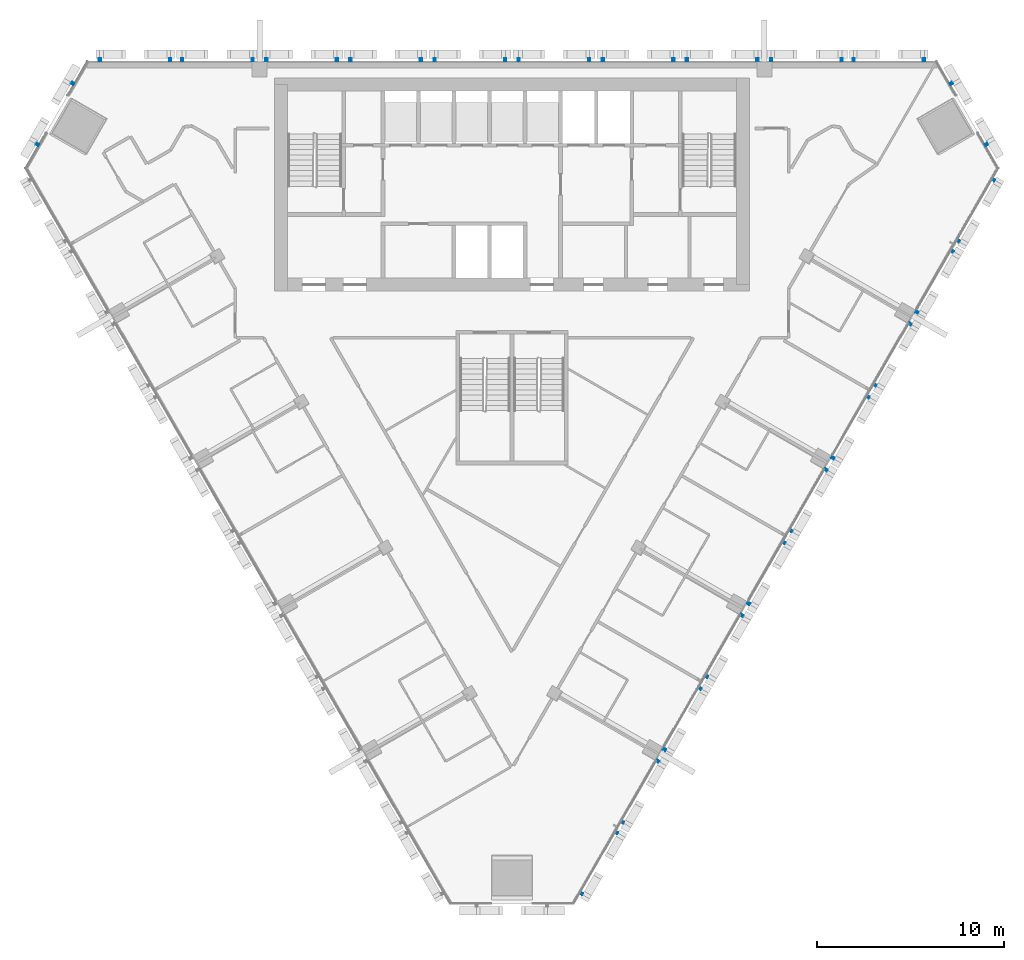
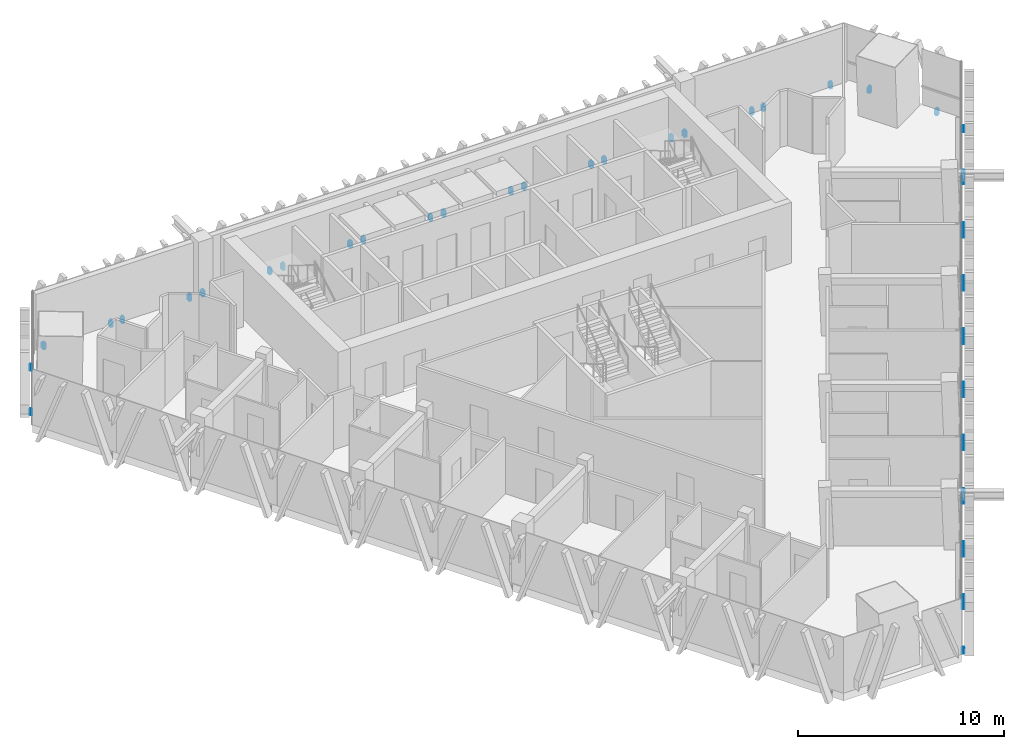
# One storey, part 12 of 15: 4 discrete accessories.
"""IFC4 building model written with IfcOpenShell, lengths in metres."""

import ifcopenshell
import ifcopenshell.guid

model = None  # the IFC model being written
_history = None  # IfcOwnerHistory: only IFC2X3 demands one
_inside = {}  # id of a spatial element -> (the spatial element, [elements in it])
_under = {}  # id of a project, library or spatial element -> (it, [spatial elements below it])
_declared = {}  # id of a project -> (the project, [libraries it declares])
_typed = {}  # id of a type object -> (the type object, [elements of that type])
_made_of = {}  # id of a material, layer set ... -> (it, [elements and type objects made of it])


def new_model(schema):
    """Start an empty IFC model of exactly this schema.

    Asked for "IFC4X3", IfcOpenShell would pick the latest addendum, in which some entities
    have other attributes; the version numbers below select the first issue.
    IFC2X3 requires an IfcOwnerHistory on every rooted entity: one is made here for all.
    """
    global model, _history
    if schema == "IFC4X3":
        model = ifcopenshell.file(schema_version=(4, 3, 0, 0))
    else:
        model = ifcopenshell.file(schema=schema)
    _inside.clear()
    _under.clear()
    _declared.clear()
    _typed.clear()
    _made_of.clear()
    _history = None
    if model.schema == "IFC2X3":
        org = make("IfcOrganization", Name="unknown")
        user = make(
            "IfcPersonAndOrganization",
            ThePerson=make("IfcPerson", FamilyName="unknown"),
            TheOrganization=org,
        )
        app = make(
            "IfcApplication",
            ApplicationDeveloper=org,
            Version="unknown",
            ApplicationFullName="unknown",
            ApplicationIdentifier="unknown",
        )
        _history = make(
            "IfcOwnerHistory",
            OwningUser=user,
            OwningApplication=app,
            ChangeAction="ADDED",
            CreationDate=0,
        )
    return model


def make(cls, **values):
    """One entity of the class cls with the attributes given. An attribute that is None is left unset."""
    return model.create_entity(
        cls, **{name: value for name, value in values.items() if value is not None}
    )


def rooted(cls, **values):
    """An entity with a GlobalId (a new one), such as an element, a storey or a relation."""
    return make(cls, GlobalId=ifcopenshell.guid.new(), OwnerHistory=_history, **values)


def si_unit(unit_type, name, prefix=None):
    """IfcSIUnit, for example si_unit("LENGTHUNIT", "METRE", prefix="MILLI")."""
    return make("IfcSIUnit", UnitType=unit_type, Prefix=prefix, Name=name)


def assignment(units):
    """IfcUnitAssignment: the units of a project."""
    return None if units is None else make("IfcUnitAssignment", Units=units)


def point(xyz):
    """IfcCartesianPoint."""
    return None if xyz is None else make("IfcCartesianPoint", Coordinates=xyz)


def direction(xyz):
    """IfcDirection."""
    return None if xyz is None else make("IfcDirection", DirectionRatios=xyz)


def frame(location, z_axis=None, x_axis=None):
    """IfcAxis2Placement3D, a coordinate frame: its origin and axes. An axis left out is left unset."""
    return make(
        "IfcAxis2Placement3D",
        Location=point(location),
        Axis=direction(z_axis),
        RefDirection=direction(x_axis),
    )


def origin():
    """The frame at (0, 0, 0) with its axes left unset."""
    return frame((0.0, 0.0, 0.0))


def place(relative_to, where):
    """IfcLocalPlacement: puts the frame where relative to a parent placement (None: the world)."""
    return make(
        "IfcLocalPlacement", PlacementRelTo=relative_to, RelativePlacement=where
    )


def context(
    kind, dimensions, precision=None, world=None, true_north=None, identifier=None
):
    """IfcGeometricRepresentationContext, for example the 3D "Model" context."""
    return make(
        "IfcGeometricRepresentationContext",
        ContextIdentifier=identifier,
        ContextType=kind,
        CoordinateSpaceDimension=dimensions,
        Precision=precision,
        WorldCoordinateSystem=world,
        TrueNorth=true_north,
    )


def subcontext(parent, identifier, kind, view, scale=None):
    """IfcGeometricRepresentationSubContext, for example "Body" below "Model"."""
    return make(
        "IfcGeometricRepresentationSubContext",
        ContextIdentifier=identifier,
        ContextType=kind,
        ParentContext=parent,
        TargetScale=scale,
        TargetView=view,
    )


def project(units=None, contexts=None):
    """IfcProject with its units and contexts."""
    return rooted(
        "IfcProject",
        Name="project",
        RepresentationContexts=contexts,
        UnitsInContext=assignment(units),
    )


def spatial(cls, under=None, at=None, **own):
    """A site, building, storey or space (cls), placed at a placement, below another one or the project."""
    s = rooted(cls, ObjectPlacement=at, **own)
    if under is not None:
        _under.setdefault(under.id(), (under, []))[1].append(s)
    return s


def polyline(points):
    """IfcPolyline through the points."""
    return make("IfcPolyline", Points=[point(p) for p in points])


def outline(outer, holes=None, kind="AREA"):
    """IfcArbitraryClosedProfileDef: a profile drawn as a closed curve; with holes, ...WithVoids."""
    if holes is None:
        return make("IfcArbitraryClosedProfileDef", ProfileType=kind, OuterCurve=outer)
    return make(
        "IfcArbitraryProfileDefWithVoids",
        ProfileType=kind,
        OuterCurve=outer,
        InnerCurves=holes,
    )


def extrude(swept, where, along, depth):
    """IfcExtrudedAreaSolid: the profile swept, set in the frame where, extruded along a direction by depth."""
    return make(
        "IfcExtrudedAreaSolid",
        SweptArea=swept,
        Position=where,
        ExtrudedDirection=direction(along),
        Depth=depth,
    )


def shape(context_of_items, identifier, shape_type, items):
    """IfcShapeRepresentation: the items that make up one representation, for example the "Body"."""
    return make(
        "IfcShapeRepresentation",
        ContextOfItems=context_of_items,
        RepresentationIdentifier=identifier,
        RepresentationType=shape_type,
        Items=items,
    )


def source(mapping_origin, context_of_items, identifier, shape_type, items):
    """IfcRepresentationMap: a shape defined once, which mapped items show again and again."""
    return make(
        "IfcRepresentationMap",
        MappingOrigin=mapping_origin,
        MappedRepresentation=shape(context_of_items, identifier, shape_type, items),
    )


def transform(
    local_origin,
    x_axis=None,
    y_axis=None,
    z_axis=None,
    scale=None,
    scale2=None,
    scale3=None,
    uniform=True,
):
    """IfcCartesianTransformationOperator3D, or its non-uniform kind. x_axis, y_axis, z_axis: its Axis1, 2, 3."""
    if uniform:
        return make(
            "IfcCartesianTransformationOperator3D",
            Axis1=direction(x_axis),
            Axis2=direction(y_axis),
            LocalOrigin=point(local_origin),
            Scale=scale,
            Axis3=direction(z_axis),
        )
    return make(
        "IfcCartesianTransformationOperator3DnonUniform",
        Axis1=direction(x_axis),
        Axis2=direction(y_axis),
        LocalOrigin=point(local_origin),
        Scale=scale,
        Axis3=direction(z_axis),
        Scale2=scale2,
        Scale3=scale3,
    )


def mapped(mapping_source, mapping_target):
    """IfcMappedItem: shows the shape of a source again, moved by a transform."""
    return make(
        "IfcMappedItem", MappingSource=mapping_source, MappingTarget=mapping_target
    )


def material(Name=None, Category=None):
    """IfcMaterial."""
    return make("IfcMaterial", Name=Name, Category=Category)


def made_of(thing, what):
    """Note that an element or type object is made of a material, layer set ...; save() writes the relation."""
    if what is not None:
        _made_of.setdefault(what.id(), (what, []))[1].append(thing)
    return thing


def type_object(cls, material=None, **own):
    """A type object (cls), such as IfcWallType, which elements share."""
    return made_of(rooted(cls, **own), material)


def element(
    cls,
    number,
    at=None,
    inside=None,
    cuts=None,
    type_object=None,
    material=None,
    context=None,
    identifier="Body",
    shape_type=None,
    held_by="IfcProductDefinitionShape",
    body=None,
    shapes=None,
    **own,
):
    """One element of the class cls, such as IfcWall. Its Tag is "e" and its number.

    at: its placement. inside: the storey or other place that contains it. cuts: it is an
    opening in that element (IfcRelVoidsElement). A single representation is given by context,
    identifier, shape_type and body (its items); several are given by shapes. held_by: the class
    of the entity that holds the representations. save() writes the other relations.
    """
    e = rooted(cls, Tag="e%d" % number, ObjectPlacement=at, **own)
    if body is not None:
        shapes = [shape(context, identifier, shape_type, body)]
    if shapes is not None:
        e.Representation = make(held_by, Representations=shapes)
    if inside is not None:
        _inside.setdefault(inside.id(), (inside, []))[1].append(e)
    if cuts is not None:
        rooted(
            "IfcRelVoidsElement", RelatingBuildingElement=cuts, RelatedOpeningElement=e
        )
    if type_object is not None:
        _typed.setdefault(type_object.id(), (type_object, []))[1].append(e)
    return made_of(e, material)


def aggregate(whole, parts):
    """IfcRelAggregates: a whole, such as a stair, and the parts it consists of."""
    return rooted("IfcRelAggregates", RelatingObject=whole, RelatedObjects=parts)


def save(model, path):
    """Write the relations noted so far, then the file.

    IfcRelAggregates (storeys below a building ...), IfcRelContainedInSpatialStructure (elements
    in a storey), IfcRelDefinesByType, IfcRelAssociatesMaterial and IfcRelDeclares: one each for
    every whole, place, type object, material and project.
    """
    for whole, parts in _under.values():
        aggregate(whole, parts)
    for where, things in _inside.values():
        rooted(
            "IfcRelContainedInSpatialStructure",
            RelatedElements=things,
            RelatingStructure=where,
        )
    for kind, things in _typed.values():
        rooted("IfcRelDefinesByType", RelatedObjects=things, RelatingType=kind)
    for what, things in _made_of.values():
        rooted("IfcRelAssociatesMaterial", RelatedObjects=things, RelatingMaterial=what)
    for by, libraries in _declared.values():
        rooted("IfcRelDeclares", RelatingContext=by, RelatedDefinitions=libraries)
    model.write(path)


model = new_model("IFC4")

# Units and contexts
model_context = context("Model", 3, precision=1e-05, world=origin(), true_north=direction((0.0, 1.0)))
body_context = subcontext(model_context, "Body", "Model", "MODEL_VIEW")
ifc_project = project(units=[si_unit("LENGTHUNIT", "METRE"), si_unit("AREAUNIT", "SQUARE_METRE"), si_unit("VOLUMEUNIT", "CUBIC_METRE"), si_unit("PLANEANGLEUNIT", "RADIAN"), si_unit("MASSUNIT", "GRAM", prefix="KILO")], contexts=[model_context])

# Site, building, storey
site_placement = place(None, origin())
site = spatial("IfcSite", under=ifc_project, at=site_placement, CompositionType="ELEMENT")
building_placement = place(site_placement, origin())
building = spatial("IfcBuilding", under=site, at=building_placement, Name="Altiplano Prism Tower", CompositionType="ELEMENT")
storey_placement = place(building_placement, frame((0.0, 0.0, 185.39990234375)))
storey = spatial("IfcBuildingStorey", under=building, at=storey_placement, Name="L48", CompositionType="ELEMENT", Elevation=185.39990234375)

# Discrete accessories
ifc_material = material(Name="Stainless steel", Category="steel")
discrete_accessory_type = type_object("IfcDiscreteAccessoryType", Name="Stone fin fixing prongs", PredefinedType="USERDEFINED", material=ifc_material)
shared_shape_1 = source(origin(), body_context, "Body", "SweptSolid", [
    extrude(outline(polyline([(-1.943115234375, 0.06005859375), (-1.822998046875, 0.06005859375), (-1.822998046875, 0.389892578125), (-1.943115234375, 0.389892578125), (-1.943115234375, 0.06005859375)])), frame((0.0, 0.0, 0.0), z_axis=(0.0, -1.0, 0.0), x_axis=(1.0, 0.0, 0.0)), (0.0, 0.0, 1.0), 0.14990234375),
    extrude(outline(polyline([(1.822998046875, 0.06005859375), (1.943115234375, 0.06005859375), (1.943115234375, 0.389892578125), (1.822998046875, 0.389892578125), (1.822998046875, 0.06005859375)])), frame((0.0, 0.0, 0.0), z_axis=(0.0, -1.0, 0.0), x_axis=(1.0, 0.0, 0.0)), (0.0, 0.0, 1.0), 0.14990234375),
])
shared_shape_2 = source(origin(), body_context, "Body", "SweptSolid", [
    extrude(outline(polyline([(-1.943115234375, 0.06005859375), (-1.822998046875, 0.06005859375), (-1.822998046875, 0.389892578125), (-1.943115234375, 0.389892578125), (-1.943115234375, 0.06005859375)])), frame((0.0, 0.0, 0.0), z_axis=(0.0, -1.0, 0.0), x_axis=(1.0, 0.0, 0.0)), (0.0, 0.0, 1.0), 0.14990234375),
    extrude(outline(polyline([(1.822998046875, 0.06005859375), (1.943115234375, 0.06005859375), (1.943115234375, 0.389892578125), (1.822998046875, 0.389892578125), (1.822998046875, 0.06005859375)])), frame((0.0, 0.0, 0.0), z_axis=(0.0, -1.0, 0.0), x_axis=(1.0, 0.0, 0.0)), (0.0, 0.0, 1.0), 0.14990234375),
])
discrete_accessory_1_placement = place(storey_placement, origin())
element("IfcDiscreteAccessory", 1, at=discrete_accessory_1_placement, inside=storey, type_object=discrete_accessory_type, Name="Fin fixings L48 north face", ObjectType="BRACKET", PredefinedType="USERDEFINED", context=body_context, shape_type="MappedRepresentation", body=[
    mapped(shared_shape_1, transform((105.160400390625, 105.0, -0.449951171875), x_axis=(-1.0, 0.0, 0.0), y_axis=(0.0, -1.0, 0.0), z_axis=(0.0, 0.0, 1.0))),
    mapped(shared_shape_2, transform((100.75, 105.0, -0.449951171875), x_axis=(-1.0, 0.0, 0.0), y_axis=(0.0, -1.0, 0.0), z_axis=(0.0, 0.0, 1.0))),
    mapped(shared_shape_2, transform((96.25, 105.0, -0.449951171875), x_axis=(-1.0, 0.0, 0.0), y_axis=(0.0, -1.0, 0.0), z_axis=(0.0, 0.0, 1.0))),
    mapped(shared_shape_2, transform((91.75, 105.0, -0.449951171875), x_axis=(-1.0, 0.0, 0.0), y_axis=(0.0, -1.0, 0.0), z_axis=(0.0, 0.0, 1.0))),
    mapped(shared_shape_2, transform((87.25, 105.0, -0.449951171875), x_axis=(-1.0, 0.0, 0.0), y_axis=(0.0, -1.0, 0.0), z_axis=(0.0, 0.0, 1.0))),
    mapped(shared_shape_2, transform((82.75, 105.0, -0.449951171875), x_axis=(-1.0, 0.0, 0.0), y_axis=(0.0, -1.0, 0.0), z_axis=(0.0, 0.0, 1.0))),
    mapped(shared_shape_2, transform((78.25, 105.0, -0.449951171875), x_axis=(-1.0, 0.0, 0.0), y_axis=(0.0, -1.0, 0.0), z_axis=(0.0, 0.0, 1.0))),
    mapped(shared_shape_2, transform((73.75, 105.0, -0.449951171875), x_axis=(-1.0, 0.0, 0.0), y_axis=(0.0, -1.0, 0.0), z_axis=(0.0, 0.0, 1.0))),
    mapped(shared_shape_2, transform((69.25, 105.0, -0.449951171875), x_axis=(-1.0, 0.0, 0.0), y_axis=(0.0, -1.0, 0.0), z_axis=(0.0, 0.0, 1.0))),
    mapped(shared_shape_1, transform((64.839599609375, 105.0, -0.449951171875), x_axis=(-1.0, 0.0, 0.0), y_axis=(0.0, -1.0, 0.0), z_axis=(0.0, 0.0, 1.0))),
])
discrete_accessory_2_placement = place(storey_placement, origin())
element("IfcDiscreteAccessory", 2, at=discrete_accessory_2_placement, inside=storey, type_object=discrete_accessory_type, Name="Fin fixings L48 south-east face", ObjectType="BRACKET", PredefinedType="USERDEFINED", context=body_context, shape_type="MappedRepresentation", body=[
    mapped(shared_shape_1, transform((89.5869140625, 62.13671875, -0.449951171875), x_axis=(0.499999992925, 0.866025407869, 0.0), y_axis=(-0.866025407869, 0.499999992925, 0.0), z_axis=(0.0, 0.0, 1.0))),
    mapped(shared_shape_2, transform((91.7919921875, 65.9560546875, -0.449951171875), x_axis=(0.499999992925, 0.866025407869, 0.0), y_axis=(-0.866025407869, 0.499999992925, 0.0), z_axis=(0.0, 0.0, 1.0))),
    mapped(shared_shape_2, transform((94.0419921875, 69.853271484375, -0.449951171875), x_axis=(0.499999992925, 0.866025407869, 0.0), y_axis=(-0.866025407869, 0.499999992925, 0.0), z_axis=(0.0, 0.0, 1.0))),
    mapped(shared_shape_2, transform((96.2919921875, 73.750244140625, -0.449951171875), x_axis=(0.499999992925, 0.866025407869, 0.0), y_axis=(-0.866025407869, 0.499999992925, 0.0), z_axis=(0.0, 0.0, 1.0))),
    mapped(shared_shape_2, transform((98.5419921875, 77.6474609375, -0.449951171875), x_axis=(0.499999992925, 0.866025407869, 0.0), y_axis=(-0.866025407869, 0.499999992925, 0.0), z_axis=(0.0, 0.0, 1.0))),
    mapped(shared_shape_2, transform((100.7919921875, 81.544677734375, -0.449951171875), x_axis=(0.499999992925, 0.866025407869, 0.0), y_axis=(-0.866025407869, 0.499999992925, 0.0), z_axis=(0.0, 0.0, 1.0))),
    mapped(shared_shape_2, transform((103.0419921875, 85.441650390625, -0.449951171875), x_axis=(0.499999992925, 0.866025407869, 0.0), y_axis=(-0.866025407869, 0.499999992925, 0.0), z_axis=(0.0, 0.0, 1.0))),
    mapped(shared_shape_2, transform((105.2919921875, 89.3388671875, -0.449951171875), x_axis=(0.499999992925, 0.866025407869, 0.0), y_axis=(-0.866025407869, 0.499999992925, 0.0), z_axis=(0.0, 0.0, 1.0))),
    mapped(shared_shape_2, transform((107.5419921875, 93.23583984375, -0.449951171875), x_axis=(0.499999992925, 0.866025407869, 0.0), y_axis=(-0.866025407869, 0.499999992925, 0.0), z_axis=(0.0, 0.0, 1.0))),
    mapped(shared_shape_1, transform((109.7470703125, 97.055419921875, -0.449951171875), x_axis=(0.499999992925, 0.866025407869, 0.0), y_axis=(-0.866025407869, 0.499999992925, 0.0), z_axis=(0.0, 0.0, 1.0))),
])
shared_shape_3 = source(origin(), body_context, "Body", "SweptSolid", [
    extrude(outline(polyline([(-1.943115234375, 0.06005859375), (-1.822998046875, 0.06005859375), (-1.822998046875, 0.389892578125), (-1.943115234375, 0.389892578125), (-1.943115234375, 0.06005859375)])), frame((0.0, 0.0, 0.0), z_axis=(0.0, -1.0, 0.0), x_axis=(1.0, 0.0, 0.0)), (0.0, 0.0, 1.0), 0.14990234375),
    extrude(outline(polyline([(1.822998046875, 0.06005859375), (1.943115234375, 0.06005859375), (1.943115234375, 0.389892578125), (1.822998046875, 0.389892578125), (1.822998046875, 0.06005859375)])), frame((0.0, 0.0, 0.0), z_axis=(0.0, -1.0, 0.0), x_axis=(1.0, 0.0, 0.0)), (0.0, 0.0, 1.0), 0.14990234375),
])
discrete_accessory_3_placement = place(storey_placement, origin())
element("IfcDiscreteAccessory", 3, at=discrete_accessory_3_placement, inside=storey, type_object=discrete_accessory_type, Name="Fin fixings L48 north-west chamfer", ObjectType="BRACKET", PredefinedType="USERDEFINED", context=body_context, shape_type="MappedRepresentation", body=[
    mapped(shared_shape_3, transform((60.6259765625, 102.13623046875, -0.449951171875), x_axis=(-0.499999977777, -0.866025416615, 0.0), y_axis=(0.866025416615, -0.499999977777, 0.0), z_axis=(0.0, 0.0, 1.0))),
])
discrete_accessory_4_placement = place(storey_placement, origin())
element("IfcDiscreteAccessory", 4, at=discrete_accessory_4_placement, inside=storey, type_object=discrete_accessory_type, Name="Fin fixings L48 north-east chamfer", ObjectType="BRACKET", PredefinedType="USERDEFINED", context=body_context, shape_type="MappedRepresentation", body=[
    mapped(shared_shape_3, transform((109.3740234375, 102.13623046875, -0.449951171875), x_axis=(-0.499999977777, 0.866025416615, 0.0), y_axis=(-0.866025416615, -0.499999977777, 0.0), z_axis=(0.0, 0.0, 1.0))),
])

save(model, "model.ifc")
